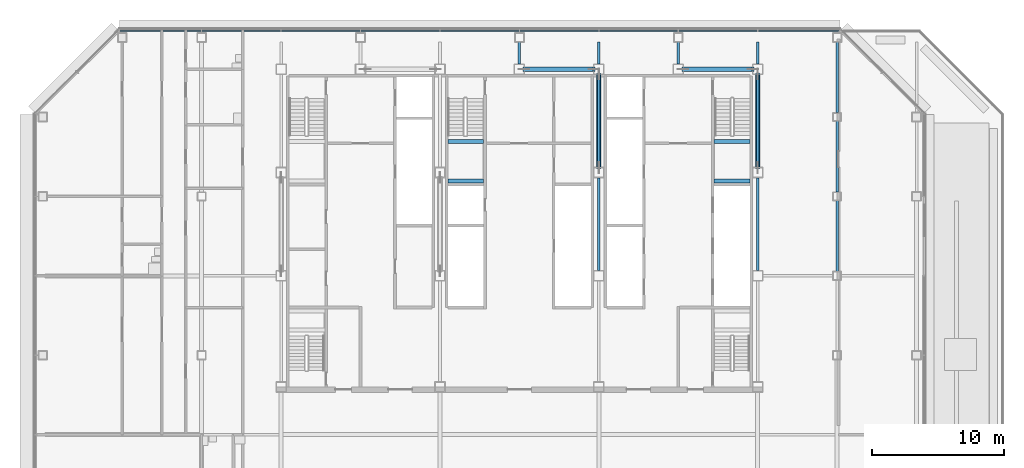
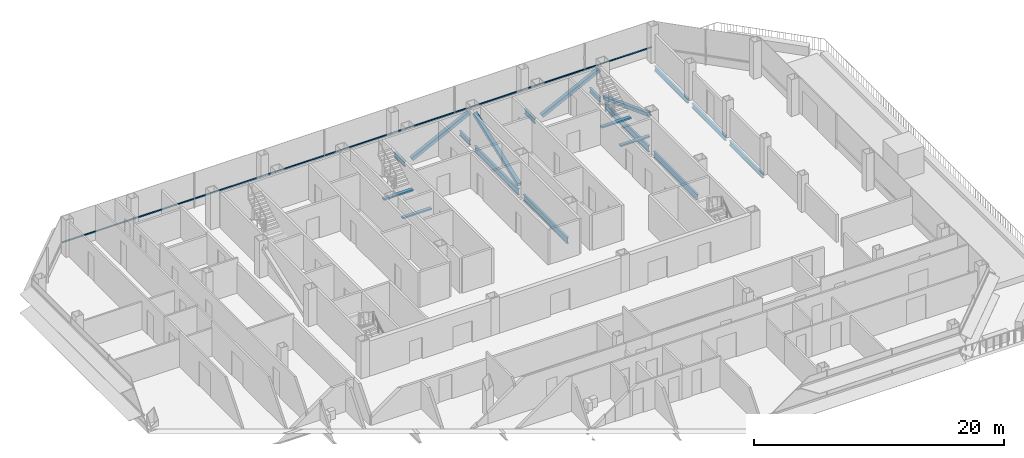
# One storey, part 12 of 27: 15 beams, 5 members, 1 element without a shape of its own.
"""IFC4 building model written with IfcOpenShell, lengths in metres."""

from ifc_helpers import new_model, si_unit, direction, frame, origin, origin_2d, place, context, subcontext, project, spatial, rectangle, hollow_rectangle, i_section, extrude, material, material_profile, profile_set, type_object, element, aggregate, save


model = new_model("IFC4")

# Units and contexts
model_context = context("Model", 3, precision=1e-05, world=origin(), true_north=direction((0.0, 1.0)))
body_context = subcontext(model_context, "Body", "Model", "MODEL_VIEW")
ifc_project = project(units=[si_unit("LENGTHUNIT", "METRE"), si_unit("AREAUNIT", "SQUARE_METRE"), si_unit("VOLUMEUNIT", "CUBIC_METRE"), si_unit("PLANEANGLEUNIT", "RADIAN"), si_unit("MASSUNIT", "GRAM", prefix="KILO")], contexts=[model_context])

# Site, building, storey
site_placement = place(None, origin())
site = spatial("IfcSite", under=ifc_project, at=site_placement, CompositionType="ELEMENT")
building_placement = place(site_placement, origin())
building = spatial("IfcBuilding", under=site, at=building_placement, Name="Sorahane Residences", CompositionType="ELEMENT")
storey_placement = place(building_placement, frame((0.0, 0.0, 192.0)))
storey = spatial("IfcBuildingStorey", under=building, at=storey_placement, Name="L44", CompositionType="ELEMENT", Elevation=192.0)

# Members
ifc_material_1 = material(Name="Steel Q355B", Category="steel")
ifc_material_profile_1 = material_profile(ifc_material_1, hollow_rectangle(XDim=0.35009765625, YDim=0.35009765625, WallThickness=0.01806640625, InnerFilletRadius=0.009033203125, OuterFilletRadius=0.027099609375, at=origin_2d()), Name="RHS 350x350x18")
ifc_profile_set_1 = profile_set([ifc_material_profile_1], Name="Steel Q355B")
member_type_1 = type_object("IfcMemberType", Name="Core brace RHS 350x350x18 Q355B", PredefinedType="BRACE", material=ifc_profile_set_1)
for number, where, z_axis, x_axis, name in (
    (1, (24.352783203125, 45.60009765625, 0.151123046875), (0.893039246852, 0.0, 0.449978781258), (0.0, 1.0, 0.0), "Core brace L44 y45.6-4"),
    (2, (36.352783203125, 45.60009765625, 0.151123046875), (0.893039246852, 0.0, 0.449978781258), (0.0, 1.0, 0.0), "Core brace L44 y45.6-6"),
):
    element("IfcMember", number, at=place(storey_placement, frame(where, z_axis=z_axis, x_axis=x_axis)), inside=storey, type_object=member_type_1, Name=name, PredefinedType="BRACE", context=body_context, shape_type="SweptSolid", body=[
        extrude(hollow_rectangle(XDim=0.35009765625, YDim=0.35009765625, WallThickness=0.01806640625, InnerFilletRadius=0.009033203125, OuterFilletRadius=0.027099609375, at=origin_2d()), origin(), (0.0, 0.0, 1.0), 5.928466796875),
    ])
for number, where, z_axis, x_axis, name in (
    (3, (42.0, 45.23681640625, 0.1611328125), (0.0, -0.93654419724, 0.350549520918), (1.0, 0.0, 0.0), "Core brace L44 x42-3"),
    (4, (30.0, 38.1630859375, 0.1611328125), (0.0, 0.93654419724, 0.350549520918), (-1.0, 0.0, 0.0), "Core brace L44 x30-2"),
):
    element("IfcMember", number, at=place(storey_placement, frame(where, z_axis=z_axis, x_axis=x_axis)), inside=storey, type_object=member_type_1, Name=name, PredefinedType="BRACE", context=body_context, shape_type="SweptSolid", body=[
        extrude(hollow_rectangle(XDim=0.35009765625, YDim=0.35009765625, WallThickness=0.01806640625, InnerFilletRadius=0.009033203125, OuterFilletRadius=0.027099609375, at=origin_2d()), origin(), (0.0, 0.0, 1.0), 7.552978515625),
    ])

# Curtain wall, member
ifc_material_2 = material(Name="Dark low-e glass and black anodised aluminium", Category="aluminium")
curtain_wall_type = type_object("IfcCurtainWallType", Name="Curtain wall CW-1 Typical unitised wall", PredefinedType="NOTDEFINED", material=ifc_material_2)
curtain_wall_placement = place(storey_placement, origin())
curtain_wall = element("IfcCurtainWall", 5, at=curtain_wall_placement, inside=storey, type_object=curtain_wall_type, Name="CW-1 curtain wall L44 N1", PredefinedType="NOTDEFINED")
ifc_material_3 = material(Name="Black anodised aluminium", Category="aluminium")
ifc_material_profile_2 = material_profile(ifc_material_3, rectangle(XDim=0.10009765625, YDim=0.06005859375, at=origin_2d()), Name="Curtain wall transom CW-1 black anodised aluminium 60x100")
ifc_profile_set_2 = profile_set([ifc_material_profile_2], Name="Black anodised aluminium")
member_type_2 = type_object("IfcMemberType", Name="Curtain wall transom CW-1 black anodised aluminium 60x100", PredefinedType="USERDEFINED", material=ifc_profile_set_2)
member_placement = place(storey_placement, frame((48.198486328125, 48.530029296875, 0.89990234375), z_axis=(-1.0, 0.0, 0.0), x_axis=(0.0, -1.0, 0.0)))
member = element("IfcMember", 6, at=member_placement, type_object=member_type_2, Name="CW-1 transom L44 N1", ObjectType="TRANSOM", PredefinedType="USERDEFINED", context=body_context, shape_type="SweptSolid", body=[
    extrude(rectangle(XDim=0.10009765625, YDim=0.06005859375, at=origin_2d()), origin(), (0.0, 0.0, 1.0), 54.39697265625),
])
aggregate(curtain_wall, [member])

# Beams
ifc_material_4 = material(Name="Concrete C40", Category="concrete")
ifc_material_profile_3 = material_profile(ifc_material_4, rectangle(XDim=0.300048828125, YDim=0.139892578125, at=origin_2d()), Name="300x140")
ifc_profile_set_3 = profile_set([ifc_material_profile_3], Name="Concrete C40")
beam_type_1 = type_object("IfcBeamType", Name="RC landing beam 300 x 140 Concrete C40", PredefinedType="BEAM", material=ifc_profile_set_3)
for number, where, z_axis, x_axis, name in (
    (7, (38.699951171875, 37.14990234375, 1.530029296875), (1.0, 0.0, 0.0), (0.0, 1.0, 0.0), "Landing beam"),
    (8, (38.699951171875, 40.14990234375, 1.530029296875), (1.0, 0.0, 0.0), (0.0, 1.0, 0.0), "Landing beam"),
    (9, (18.60009765625, 37.14990234375, 1.530029296875), (1.0, 0.0, 0.0), (0.0, 1.0, 0.0), "Landing beam"),
    (10, (18.60009765625, 40.14990234375, 1.530029296875), (1.0, 0.0, 0.0), (0.0, 1.0, 0.0), "Landing beam"),
):
    element("IfcBeam", number, at=place(storey_placement, frame(where, z_axis=z_axis, x_axis=x_axis)), inside=storey, type_object=beam_type_1, Name=name, PredefinedType="BEAM", context=body_context, shape_type="SweptSolid", body=[
        extrude(rectangle(XDim=0.300048828125, YDim=0.139892578125, at=origin_2d()), origin(), (0.0, 0.0, 1.0), 2.699951171875),
    ])
ifc_material_5 = material(Name="Steel Q355B", Category="steel")
ifc_material_profile_4 = material_profile(ifc_material_5, i_section(OverallWidth=0.199951171875, OverallDepth=0.449951171875, WebThickness=0.009033203125, FlangeThickness=0.013916015625, FilletRadius=0.02001953125, at=origin_2d()), Name="HN 450x200x9x14")
ifc_profile_set_4 = profile_set([ifc_material_profile_4], Name="Steel Q355B")
beam_type_2 = type_object("IfcBeamType", Name="Steel floor beam HN 450x200x9x14 Q355B", PredefinedType="BEAM", material=ifc_profile_set_4)
for number, where, z_axis, x_axis, name in (
    (11, (24.0, 46.0, -0.52490234375), (0.0, 1.0, 0.0), (-1.0, 0.0, 0.0), "Beam L44 025"),
    (12, (30.0, 46.0, -0.52490234375), (0.0, 1.0, 0.0), (-1.0, 0.0, 0.0), "Beam L44 032"),
    (13, (36.0, 46.0, -0.52490234375), (0.0, 1.0, 0.0), (-1.0, 0.0, 0.0), "Beam L44 035"),
    (14, (42.0, 46.0, -0.52490234375), (0.0, 1.0, 0.0), (-1.0, 0.0, 0.0), "Beam L44 042"),
):
    element("IfcBeam", number, at=place(storey_placement, frame(where, z_axis=z_axis, x_axis=x_axis)), inside=storey, type_object=beam_type_2, Name=name, PredefinedType="BEAM", context=body_context, shape_type="SweptSolid", body=[
        extrude(i_section(OverallWidth=0.199951171875, OverallDepth=0.449951171875, WebThickness=0.009033203125, FlangeThickness=0.013916015625, FilletRadius=0.02001953125, at=origin_2d()), origin(), (0.0, 0.0, 1.0), 1.64990234375),
    ])
for number, where, z_axis, x_axis, name in (
    (15, (48.0, 30.324951171875, -0.52490234375), (0.0, 1.0, 0.0), (-1.0, 0.0, 0.0), "Beam L44 047"),
    (16, (48.0, 36.324951171875, -0.52490234375), (0.0, 1.0, 0.0), (-1.0, 0.0, 0.0), "Beam L44 048"),
):
    element("IfcBeam", number, at=place(storey_placement, frame(where, z_axis=z_axis, x_axis=x_axis)), inside=storey, type_object=beam_type_2, Name=name, PredefinedType="BEAM", context=body_context, shape_type="SweptSolid", body=[
        extrude(i_section(OverallWidth=0.199951171875, OverallDepth=0.449951171875, WebThickness=0.009033203125, FlangeThickness=0.013916015625, FilletRadius=0.02001953125, at=origin_2d()), origin(), (0.0, 0.0, 1.0), 5.35009765625),
    ])
beam_placement = place(storey_placement, frame((48.0, 42.324951171875, -0.52490234375), z_axis=(0.0, 1.0, 0.0), x_axis=(-1.0, 0.0, 0.0)))
element("IfcBeam", 17, at=beam_placement, inside=storey, type_object=beam_type_2, Name="Beam L44 049", PredefinedType="BEAM", context=body_context, shape_type="SweptSolid", body=[
    extrude(i_section(OverallWidth=0.199951171875, OverallDepth=0.449951171875, WebThickness=0.009033203125, FlangeThickness=0.013916015625, FilletRadius=0.02001953125, at=origin_2d()), origin(), (0.0, 0.0, 1.0), 5.324951171875),
])
ifc_material_6 = material(Name="Steel Q355B", Category="steel")
ifc_material_profile_5 = material_profile(ifc_material_6, i_section(OverallWidth=0.199951171875, OverallDepth=0.60009765625, WebThickness=0.010986328125, FlangeThickness=0.01708984375, FilletRadius=0.02392578125, at=origin_2d()), Name="HN 600x200x11x17")
ifc_profile_set_5 = profile_set([ifc_material_profile_5], Name="Steel Q355B")
beam_type_3 = type_object("IfcBeamType", Name="Steel floor beam HN 600x200x11x17 Q355B", PredefinedType="BEAM", material=ifc_profile_set_5)
for number, where, z_axis, x_axis, name in (
    (18, (30.0, 30.39990234375, -0.60009765625), (0.0, 1.0, 0.0), (-1.0, 0.0, 0.0), "Beam L44 030"),
    (19, (30.0, 38.199951171875, -0.60009765625), (0.0, 1.0, 0.0), (-1.0, 0.0, 0.0), "Beam L44 031"),
    (20, (42.0, 30.39990234375, -0.60009765625), (0.0, 1.0, 0.0), (-1.0, 0.0, 0.0), "Beam L44 040"),
    (21, (42.0, 38.199951171875, -0.60009765625), (0.0, 1.0, 0.0), (-1.0, 0.0, 0.0), "Beam L44 041"),
):
    element("IfcBeam", number, at=place(storey_placement, frame(where, z_axis=z_axis, x_axis=x_axis)), inside=storey, type_object=beam_type_3, Name=name, PredefinedType="BEAM", context=body_context, shape_type="SweptSolid", body=[
        extrude(i_section(OverallWidth=0.199951171875, OverallDepth=0.60009765625, WebThickness=0.010986328125, FlangeThickness=0.01708984375, FilletRadius=0.02392578125, at=origin_2d()), origin(), (0.0, 0.0, 1.0), 7.0),
    ])

save(model, "model.ifc")
